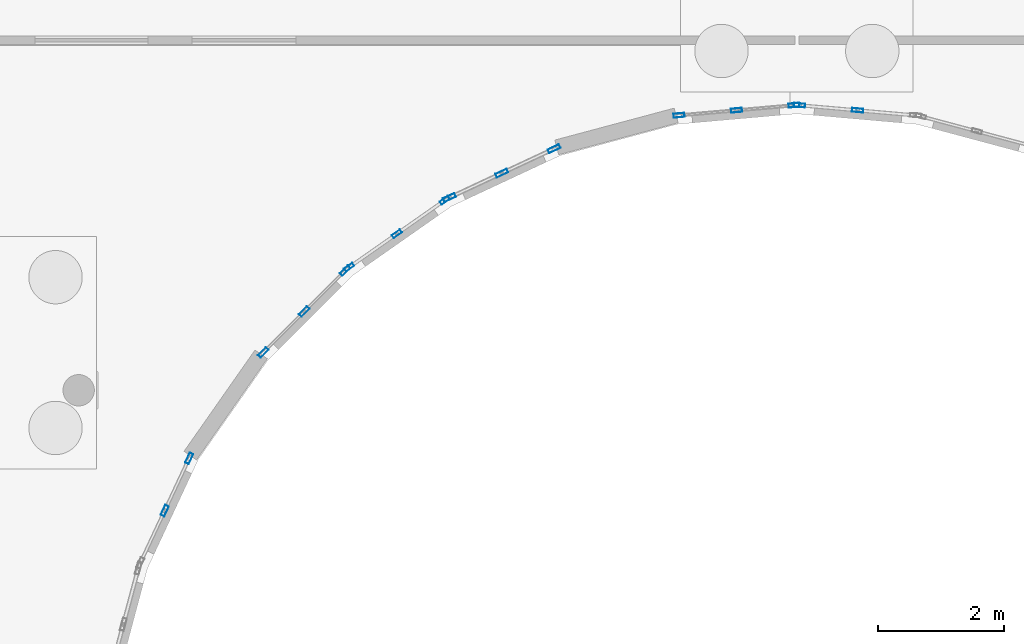
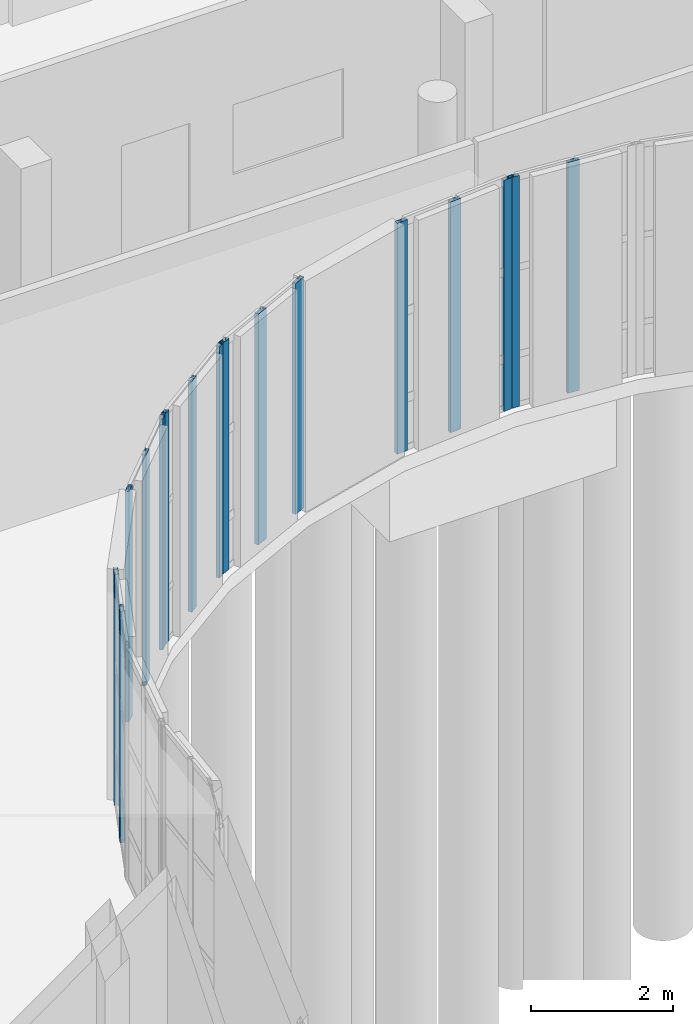
# One storey, part 35 of 93: 16 members, 6 elements without a shape of their own.
"""IFC4 building model written with IfcOpenShell, lengths in metres."""

from ifc_helpers import new_model, si_unit, direction, frame, origin, origin_2d, place, context, subcontext, project, spatial, hollow_rectangle, extrude, material, layer, layer_set, material_profile, profile_set, type_object, element, aggregate, save


model = new_model("IFC4")

# Units and contexts
model_context = context("Model", 3, precision=1e-05, world=origin(), true_north=direction((0.0, 1.0)))
body_context = subcontext(model_context, "Body", "Model", "MODEL_VIEW")
ifc_project = project(units=[si_unit("LENGTHUNIT", "METRE"), si_unit("AREAUNIT", "SQUARE_METRE"), si_unit("VOLUMEUNIT", "CUBIC_METRE"), si_unit("PLANEANGLEUNIT", "RADIAN"), si_unit("MASSUNIT", "GRAM", prefix="KILO")], contexts=[model_context])

# Site, building, storey
site_placement = place(None, origin())
site = spatial("IfcSite", under=ifc_project, at=site_placement, CompositionType="ELEMENT")
building_placement = place(site_placement, origin())
building = spatial("IfcBuilding", under=site, at=building_placement, Name="Kelanivale Promenade Academy", CompositionType="ELEMENT")
storey_placement = place(building_placement, origin())
storey = spatial("IfcBuildingStorey", under=building, at=storey_placement, Name="L00", CompositionType="ELEMENT", Elevation=0.0)

# Curtain wall, members
ifc_material_1 = material(Name="Bronze anodised aluminium and solar-control low-E glass", Category="aluminium")
ifc_layer_1 = layer(ifc_material_1, 0.159912109375)
ifc_layer_set_1 = layer_set([ifc_layer_1], Name="Bronze anodised aluminium and solar-control low-E glass")
curtain_wall_type_1 = type_object("IfcCurtainWallType", Name="CW-09 Curtain Wall 1650mm Module", PredefinedType="USERDEFINED", material=ifc_layer_set_1)
curtain_wall_1_placement = place(storey_placement, origin())
curtain_wall_1 = element("IfcCurtainWall", 1, at=curtain_wall_1_placement, inside=storey, type_object=curtain_wall_type_1, Name="L00 courtyard curtain wall CW-09", ObjectType="UNITISED GLAZING", PredefinedType="USERDEFINED")
ifc_material_2 = material(Name="Bronze anodised aluminium EN AW-6063 T6", Category="aluminium")
ifc_material_profile_1 = material_profile(ifc_material_2, hollow_rectangle(XDim=0.06005859375, YDim=0.159912109375, WallThickness=0.00390625, at=origin_2d()), Name="ALU 60x160x4.0")
ifc_profile_set_1 = profile_set([ifc_material_profile_1], Name="Bronze anodised aluminium EN AW-6063 T6")
member_type_1 = type_object("IfcMemberType", Name="CWM-01 ALU 60x160x4.0", PredefinedType="MULLION", material=ifc_profile_set_1)
member_1_placement = place(storey_placement, frame((57.79541015625, 66.423828125, 0.0), z_axis=(0.0, 0.0, 1.0), x_axis=(0.573567324515, -0.81915842439, 0.0)))
member_1 = element("IfcMember", 2, at=member_1_placement, type_object=member_type_1, Name="CW-09 mullion 1", PredefinedType="MULLION", context=body_context, shape_type="SweptSolid", body=[
    extrude(hollow_rectangle(XDim=0.06005859375, YDim=0.159912109375, WallThickness=0.00390625, at=origin_2d()), origin(), (0.0, 0.0, 1.0), 3.97998046875),
])
member_2_placement = place(storey_placement, frame((57.034423828125, 65.89111328125, 0.0), z_axis=(0.0, 0.0, 1.0), x_axis=(0.573567324515, -0.81915842439, 0.0)))
member_2 = element("IfcMember", 3, at=member_2_placement, type_object=member_type_1, Name="CW-09 mullion 2", PredefinedType="MULLION", context=body_context, shape_type="SweptSolid", body=[
    extrude(hollow_rectangle(XDim=0.06005859375, YDim=0.159912109375, WallThickness=0.00390625, at=origin_2d()), origin(), (0.0, 0.0, 1.0), 3.97998046875),
])
member_3_placement = place(storey_placement, frame((56.273681640625, 65.358154296875, 0.0), z_axis=(0.0, 0.0, 1.0), x_axis=(0.573567324515, -0.81915842439, 0.0)))
member_3 = element("IfcMember", 4, at=member_3_placement, type_object=member_type_1, Name="CW-09 mullion 3", PredefinedType="MULLION", context=body_context, shape_type="SweptSolid", body=[
    extrude(hollow_rectangle(XDim=0.06005859375, YDim=0.159912109375, WallThickness=0.00390625, at=origin_2d()), origin(), (0.0, 0.0, 1.0), 3.97998046875),
])
aggregate(curtain_wall_1, [member_1, member_2, member_3])

ifc_layer_2 = layer(ifc_material_1, 0.159912109375)
ifc_layer_set_2 = layer_set([ifc_layer_2], Name="Bronze anodised aluminium and solar-control low-E glass")
curtain_wall_type_2 = type_object("IfcCurtainWallType", Name="CW-06 Curtain Wall 1200mm Module", PredefinedType="USERDEFINED", material=ifc_layer_set_2)
curtain_wall_2_placement = place(storey_placement, origin())
curtain_wall_2 = element("IfcCurtainWall", 5, at=curtain_wall_2_placement, inside=storey, type_object=curtain_wall_type_2, Name="L00 courtyard curtain wall CW-06", ObjectType="UNITISED GLAZING", PredefinedType="USERDEFINED")
ifc_material_profile_2 = material_profile(ifc_material_2, hollow_rectangle(XDim=0.06005859375, YDim=0.179931640625, WallThickness=0.00390625, at=origin_2d()), Name="ALU 60x180x4.0")
ifc_profile_set_2 = profile_set([ifc_material_profile_2], Name="Bronze anodised aluminium EN AW-6063 T6")
member_type_2 = type_object("IfcMemberType", Name="CWM-02 ALU 60x180x4.0", PredefinedType="MULLION", material=ifc_profile_set_2)
member_4_placement = place(storey_placement, frame((64.366943359375, 67.85546875, 0.0), z_axis=(0.0, 0.0, 1.0), x_axis=(-0.087102249164, -0.996199376727, 0.0)))
member_4 = element("IfcMember", 6, at=member_4_placement, type_object=member_type_2, Name="CW-06 mullion 2", PredefinedType="MULLION", context=body_context, shape_type="SweptSolid", body=[
    extrude(hollow_rectangle(XDim=0.06005859375, YDim=0.179931640625, WallThickness=0.00390625, at=origin_2d()), origin(), (0.0, 0.0, 1.0), 3.97998046875),
])
member_5_placement = place(storey_placement, frame((63.44189453125, 67.936279296875, 0.0), z_axis=(0.0, 0.0, 1.0), x_axis=(-0.087102249164, -0.996199376727, 0.0)))
member_5 = element("IfcMember", 7, at=member_5_placement, type_object=member_type_2, Name="CW-06 mullion 3", PredefinedType="MULLION", context=body_context, shape_type="SweptSolid", body=[
    extrude(hollow_rectangle(XDim=0.06005859375, YDim=0.179931640625, WallThickness=0.00390625, at=origin_2d()), origin(), (0.0, 0.0, 1.0), 3.97998046875),
])
aggregate(curtain_wall_2, [member_4, member_5])

ifc_layer_3 = layer(ifc_material_1, 0.169921875)
ifc_layer_set_3 = layer_set([ifc_layer_3], Name="Bronze anodised aluminium and solar-control low-E glass")
curtain_wall_type_3 = type_object("IfcCurtainWallType", Name="CW-10 Curtain Wall 1800mm Module", PredefinedType="USERDEFINED", material=ifc_layer_set_3)
curtain_wall_3_placement = place(storey_placement, origin())
curtain_wall_3 = element("IfcCurtainWall", 8, at=curtain_wall_3_placement, inside=storey, type_object=curtain_wall_type_3, Name="L00 courtyard curtain wall CW-10", ObjectType="UNITISED GLAZING", PredefinedType="USERDEFINED")
member_6_placement = place(storey_placement, frame((56.208740234375, 65.3037109375, 0.0), z_axis=(0.0, 0.0, 1.0), x_axis=(0.707106781187, -0.707106781187, 0.0)))
member_6 = element("IfcMember", 9, at=member_6_placement, type_object=member_type_2, Name="CW-10 mullion 1", PredefinedType="MULLION", context=body_context, shape_type="SweptSolid", body=[
    extrude(hollow_rectangle(XDim=0.06005859375, YDim=0.179931640625, WallThickness=0.00390625, at=origin_2d()), origin(), (0.0, 0.0, 1.0), 3.97998046875),
])
member_7_placement = place(storey_placement, frame((55.55810546875, 64.653076171875, 0.0), z_axis=(0.0, 0.0, 1.0), x_axis=(0.707106781187, -0.707106781187, 0.0)))
member_7 = element("IfcMember", 10, at=member_7_placement, type_object=member_type_2, Name="CW-10 mullion 2", PredefinedType="MULLION", context=body_context, shape_type="SweptSolid", body=[
    extrude(hollow_rectangle(XDim=0.06005859375, YDim=0.179931640625, WallThickness=0.00390625, at=origin_2d()), origin(), (0.0, 0.0, 1.0), 3.97998046875),
])
member_8_placement = place(storey_placement, frame((54.9072265625, 64.002197265625, 0.0), z_axis=(0.0, 0.0, 1.0), x_axis=(0.707106781187, -0.707106781187, 0.0)))
member_8 = element("IfcMember", 11, at=member_8_placement, type_object=member_type_2, Name="CW-10 mullion 3", PredefinedType="MULLION", context=body_context, shape_type="SweptSolid", body=[
    extrude(hollow_rectangle(XDim=0.06005859375, YDim=0.179931640625, WallThickness=0.00390625, at=origin_2d()), origin(), (0.0, 0.0, 1.0), 3.97998046875),
])
aggregate(curtain_wall_3, [member_6, member_7, member_8])

ifc_layer_4 = layer(ifc_material_1, 0.169921875)
ifc_layer_set_4 = layer_set([ifc_layer_4], Name="Bronze anodised aluminium and solar-control low-E glass")
curtain_wall_type_4 = type_object("IfcCurtainWallType", Name="CW-07 Curtain Wall 1350mm Module", PredefinedType="USERDEFINED", material=ifc_layer_set_4)
curtain_wall_4_placement = place(storey_placement, origin())
curtain_wall_4 = element("IfcCurtainWall", 12, at=curtain_wall_4_placement, inside=storey, type_object=curtain_wall_type_4, Name="L00 courtyard curtain wall CW-07", ObjectType="UNITISED GLAZING", PredefinedType="USERDEFINED")
ifc_material_profile_3 = material_profile(ifc_material_2, hollow_rectangle(XDim=0.06494140625, YDim=0.175048828125, WallThickness=0.00390625, at=origin_2d()), Name="ALU 65x175x4.0")
ifc_profile_set_3 = profile_set([ifc_material_profile_3], Name="Bronze anodised aluminium EN AW-6063 T6")
member_type_3 = type_object("IfcMemberType", Name="CWM-03 ALU 65x175x4.0", PredefinedType="MULLION", material=ifc_profile_set_3)
member_9_placement = place(storey_placement, frame((63.355712890625, 67.936279296875, 0.0), z_axis=(0.0, 0.0, 1.0), x_axis=(0.087264768066, -0.996185153601, 0.0)))
member_9 = element("IfcMember", 13, at=member_9_placement, type_object=member_type_3, Name="CW-07 mullion 1", PredefinedType="MULLION", context=body_context, shape_type="SweptSolid", body=[
    extrude(hollow_rectangle(XDim=0.06494140625, YDim=0.175048828125, WallThickness=0.00390625, at=origin_2d()), origin(), (0.0, 0.0, 1.0), 3.97998046875),
])
member_10_placement = place(storey_placement, frame((62.4404296875, 67.85595703125, 0.0), z_axis=(0.0, 0.0, 1.0), x_axis=(0.087264768066, -0.996185153601, 0.0)))
member_10 = element("IfcMember", 14, at=member_10_placement, type_object=member_type_3, Name="CW-07 mullion 2", PredefinedType="MULLION", context=body_context, shape_type="SweptSolid", body=[
    extrude(hollow_rectangle(XDim=0.06494140625, YDim=0.175048828125, WallThickness=0.00390625, at=origin_2d()), origin(), (0.0, 0.0, 1.0), 3.97998046875),
])
member_11_placement = place(storey_placement, frame((61.525390625, 67.77587890625, 0.0), z_axis=(0.0, 0.0, 1.0), x_axis=(0.087264768066, -0.996185153601, 0.0)))
member_11 = element("IfcMember", 15, at=member_11_placement, type_object=member_type_3, Name="CW-07 mullion 3", PredefinedType="MULLION", context=body_context, shape_type="SweptSolid", body=[
    extrude(hollow_rectangle(XDim=0.06494140625, YDim=0.175048828125, WallThickness=0.00390625, at=origin_2d()), origin(), (0.0, 0.0, 1.0), 3.97998046875),
])
aggregate(curtain_wall_4, [member_9, member_10, member_11])

ifc_layer_5 = layer(ifc_material_1, 0.179931640625)
ifc_layer_set_5 = layer_set([ifc_layer_5], Name="Bronze anodised aluminium and solar-control low-E glass")
curtain_wall_type_5 = type_object("IfcCurtainWallType", Name="CW-11 Curtain Wall 1950mm Module", PredefinedType="USERDEFINED", material=ifc_layer_set_5)
curtain_wall_5_placement = place(storey_placement, origin())
curtain_wall_5 = element("IfcCurtainWall", 16, at=curtain_wall_5_placement, inside=storey, type_object=curtain_wall_type_5, Name="L00 courtyard curtain wall CW-11", ObjectType="UNITISED GLAZING", PredefinedType="USERDEFINED")
member_12_placement = place(storey_placement, frame((53.727294921875, 62.315673828125, 0.0), z_axis=(0.0, 0.0, 1.0), x_axis=(0.906089128146, -0.423086860887, 0.0)))
member_12 = element("IfcMember", 17, at=member_12_placement, type_object=member_type_3, Name="CW-11 mullion 1", PredefinedType="MULLION", context=body_context, shape_type="SweptSolid", body=[
    extrude(hollow_rectangle(XDim=0.06494140625, YDim=0.175048828125, WallThickness=0.00390625, at=origin_2d()), origin(), (0.0, 0.0, 1.0), 3.97998046875),
])
member_13_placement = place(storey_placement, frame((53.33837890625, 61.48291015625, 0.0), z_axis=(0.0, 0.0, 1.0), x_axis=(0.906089128146, -0.423086860887, 0.0)))
member_13 = element("IfcMember", 18, at=member_13_placement, type_object=member_type_3, Name="CW-11 mullion 2", PredefinedType="MULLION", context=body_context, shape_type="SweptSolid", body=[
    extrude(hollow_rectangle(XDim=0.06494140625, YDim=0.175048828125, WallThickness=0.00390625, at=origin_2d()), origin(), (0.0, 0.0, 1.0), 3.97998046875),
])
aggregate(curtain_wall_5, [member_12, member_13])

ifc_layer_6 = layer(ifc_material_1, 0.179931640625)
ifc_layer_set_6 = layer_set([ifc_layer_6], Name="Bronze anodised aluminium and solar-control low-E glass")
curtain_wall_type_6 = type_object("IfcCurtainWallType", Name="CW-08 Curtain Wall 1500mm Module", PredefinedType="USERDEFINED", material=ifc_layer_set_6)
curtain_wall_6_placement = place(storey_placement, origin())
curtain_wall_6 = element("IfcCurtainWall", 19, at=curtain_wall_6_placement, inside=storey, type_object=curtain_wall_type_6, Name="L00 courtyard curtain wall CW-08", ObjectType="UNITISED GLAZING", PredefinedType="USERDEFINED")
ifc_material_profile_4 = material_profile(ifc_material_2, hollow_rectangle(XDim=0.06494140625, YDim=0.199951171875, WallThickness=0.00439453125, at=origin_2d()), Name="ALU 65x200x4.5")
ifc_profile_set_4 = profile_set([ifc_material_profile_4], Name="Bronze anodised aluminium EN AW-6063 T6")
member_type_4 = type_object("IfcMemberType", Name="CWM-04 ALU 65x200x4.5", PredefinedType="MULLION", material=ifc_profile_set_4)
member_14_placement = place(storey_placement, frame((59.53564453125, 67.244140625, 0.0), z_axis=(0.0, 0.0, 1.0), x_axis=(0.423086860887, -0.906089128146, 0.0)))
member_14 = element("IfcMember", 20, at=member_14_placement, type_object=member_type_4, Name="CW-08 mullion 1", PredefinedType="MULLION", context=body_context, shape_type="SweptSolid", body=[
    extrude(hollow_rectangle(XDim=0.06494140625, YDim=0.199951171875, WallThickness=0.00439453125, at=origin_2d()), origin(), (0.0, 0.0, 1.0), 3.97998046875),
])
member_15_placement = place(storey_placement, frame((58.702880859375, 66.85546875, 0.0), z_axis=(0.0, 0.0, 1.0), x_axis=(0.423086860887, -0.906089128146, 0.0)))
member_15 = element("IfcMember", 21, at=member_15_placement, type_object=member_type_4, Name="CW-08 mullion 2", PredefinedType="MULLION", context=body_context, shape_type="SweptSolid", body=[
    extrude(hollow_rectangle(XDim=0.06494140625, YDim=0.199951171875, WallThickness=0.00439453125, at=origin_2d()), origin(), (0.0, 0.0, 1.0), 3.97998046875),
])
member_16_placement = place(storey_placement, frame((57.870361328125, 66.466796875, 0.0), z_axis=(0.0, 0.0, 1.0), x_axis=(0.423086860887, -0.906089128146, 0.0)))
member_16 = element("IfcMember", 22, at=member_16_placement, type_object=member_type_4, Name="CW-08 mullion 3", PredefinedType="MULLION", context=body_context, shape_type="SweptSolid", body=[
    extrude(hollow_rectangle(XDim=0.06494140625, YDim=0.199951171875, WallThickness=0.00439453125, at=origin_2d()), origin(), (0.0, 0.0, 1.0), 3.97998046875),
])
aggregate(curtain_wall_6, [member_14, member_15, member_16])

save(model, "model.ifc")
